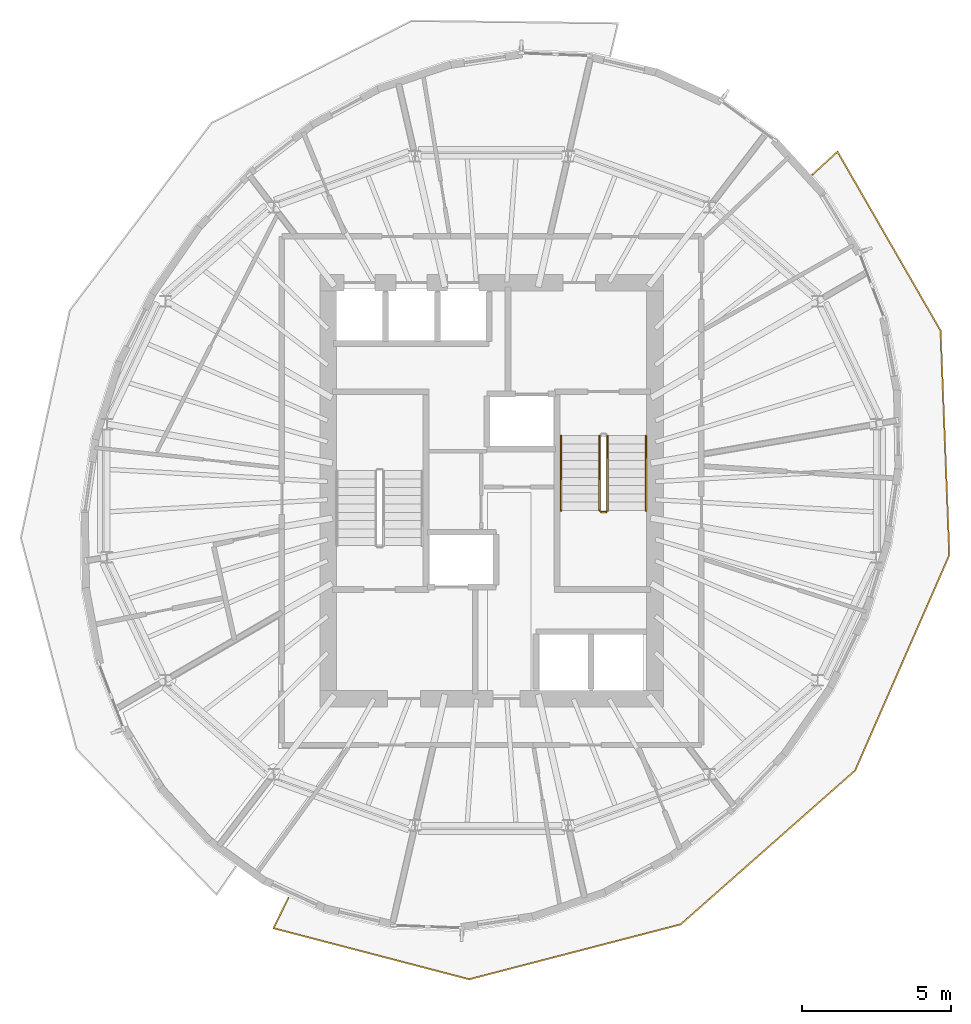
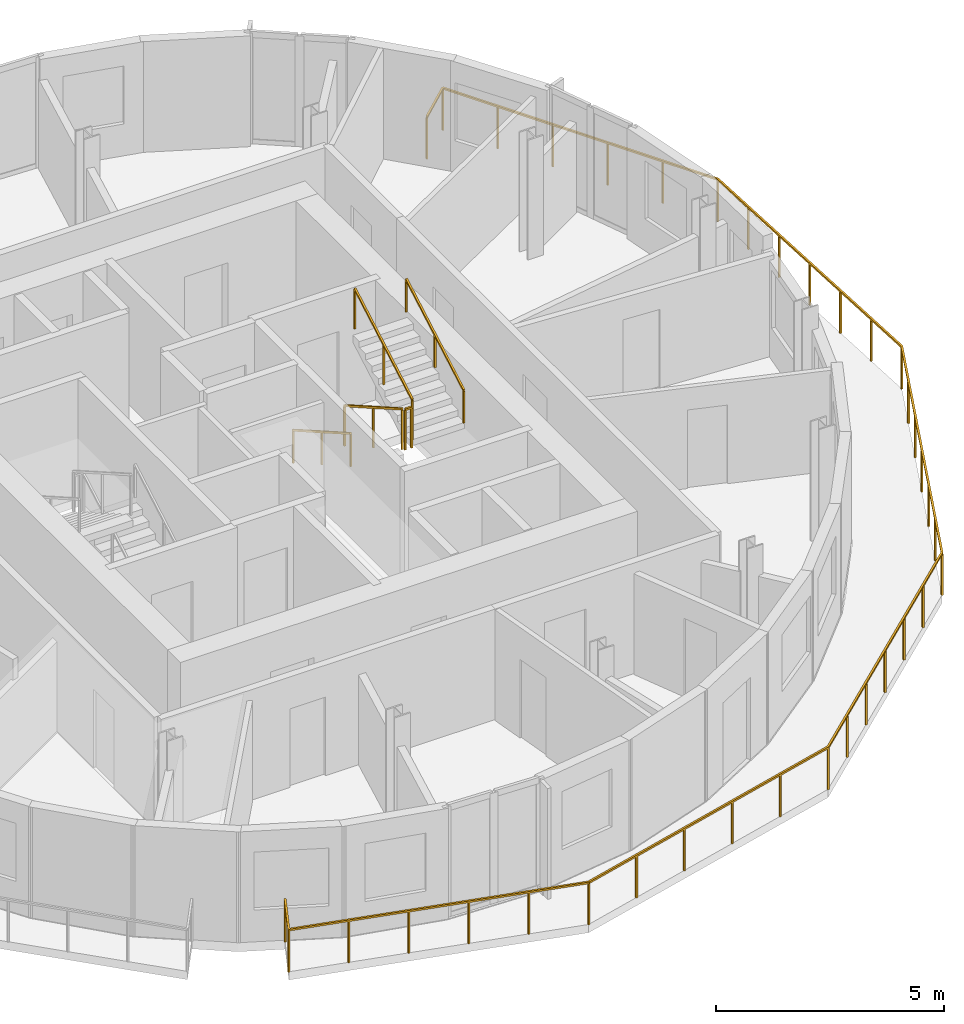
# One storey, part 9 of 11: 6 railings.
"""IFC4 building model written with IfcOpenShell, lengths in metres."""

from ifc_helpers import new_model, si_unit, direction, frame, origin, origin_2d, place, context, subcontext, project, spatial, rectangle, extrude, material, type_object, element, save


model = new_model("IFC4")

# Units and contexts
model_context = context("Model", 3, precision=1e-05, world=origin(), true_north=direction((0.0, 1.0)))
body_context = subcontext(model_context, "Body", "Model", "MODEL_VIEW")
ifc_project = project(units=[si_unit("LENGTHUNIT", "METRE"), si_unit("AREAUNIT", "SQUARE_METRE"), si_unit("VOLUMEUNIT", "CUBIC_METRE"), si_unit("PLANEANGLEUNIT", "RADIAN"), si_unit("MASSUNIT", "GRAM", prefix="KILO")], contexts=[model_context])

# Site, building, storey
site_placement = place(None, origin())
site = spatial("IfcSite", under=ifc_project, at=site_placement, CompositionType="ELEMENT")
building_placement = place(site_placement, origin())
building = spatial("IfcBuilding", under=site, at=building_placement, Name="Veldorim Arch Residences", CompositionType="ELEMENT")
storey_placement = place(building_placement, frame((0.0, 0.0, 236.639892578125)))
storey = spatial("IfcBuildingStorey", under=building, at=storey_placement, Name="L71", CompositionType="ELEMENT", Elevation=236.639892578125)

# Railings
ifc_material_1 = material(Name="Aluminium", Category="aluminium")
railing_type_1 = type_object("IfcRailingType", Name="Balcony & Terrace Laminated Glass Balustrade 1150", PredefinedType="BALUSTRADE", material=ifc_material_1)
railing_1_placement = place(storey_placement, frame((25.16162109375, 10.30322265625, 0.0)))
element("IfcRailing", 1, at=railing_1_placement, inside=storey, type_object=railing_type_1, Name="L71 crescent balcony safety balustrade B", PredefinedType="BALUSTRADE", context=body_context, shape_type="SweptSolid", body=[
    extrude(rectangle(XDim=0.048095703125, YDim=0.048095703125, at=origin_2d()), frame((0.0, 0.0, 1.1259765625), z_axis=(-0.437762639147, -0.899090580402, 0.0), x_axis=(0.899090580402, -0.437762639147, 0.0)), (0.0, 0.0, 1.0), 1.14990234375),
    extrude(rectangle(XDim=0.048095703125, YDim=0.048095703125, at=origin_2d()), frame((-0.50341796875, -1.033935546875, 1.1259765625), z_axis=(0.967615749283, -0.252427735676, 0.0), x_axis=(0.252427735676, 0.967615749283, 0.0)), (0.0, 0.0, 1.0), 6.808837890625),
    extrude(rectangle(XDim=0.048095703125, YDim=0.048095703125, at=origin_2d()), frame((6.0849609375, -2.752685546875, 1.1259765625), z_axis=(0.967951200478, 0.251138355282, 0.0), x_axis=(-0.251138355282, 0.967951200478, 0.0)), (0.0, 0.0, 1.0), 7.357177734375),
    extrude(rectangle(XDim=0.048095703125, YDim=0.048095703125, at=origin_2d()), frame((13.206298828125, -0.905029296875, 1.1259765625), z_axis=(0.749915181283, 0.661533990722, 0.0), x_axis=(-0.661533990722, 0.749915181283, 0.0)), (0.0, 0.0, 1.0), 7.831298828125),
    extrude(rectangle(XDim=0.048095703125, YDim=0.048095703125, at=origin_2d()), frame((19.0791015625, 4.275634765625, 1.1259765625), z_axis=(0.400561673742, 0.916269799529, 0.0), x_axis=(-0.916269799529, 0.400561673742, 0.0)), (0.0, 0.0, 1.0), 7.919189453125),
    extrude(rectangle(XDim=0.048095703125, YDim=0.048095703125, at=origin_2d()), frame((22.251220703125, 11.53173828125, 1.1259765625), z_axis=(-0.039131793302, 0.999234058043, 0.0), x_axis=(-0.999234058043, -0.039131793302, 0.0)), (0.0, 0.0, 1.0), 7.555419921875),
    extrude(rectangle(XDim=0.048095703125, YDim=0.048095703125, at=origin_2d()), frame((21.95556640625, 19.081298828125, 1.1259765625), z_axis=(-0.499136962645, 0.86652310559, 0.0), x_axis=(-0.86652310559, -0.499136962645, 0.0)), (0.0, 0.0, 1.0), 6.956298828125),
    extrude(rectangle(XDim=0.048095703125, YDim=0.048095703125, at=origin_2d()), frame((18.4833984375, 25.109130859375, 1.1259765625), z_axis=(-0.738131502992, -0.67465686411, 0.0), x_axis=(0.67465686411, -0.738131502992, 0.0)), (0.0, 0.0, 1.0), 1.150146484375),
    extrude(rectangle(XDim=0.0419921875, YDim=0.0419921875, at=origin_2d()), origin(), (0.0, 0.0, 1.0), 1.101806640625),
    extrude(rectangle(XDim=0.0419921875, YDim=0.0419921875, at=origin_2d()), frame((-0.50341796875, -1.033935546875, 0.0)), (0.0, 0.0, 1.0), 1.101806640625),
    extrude(rectangle(XDim=0.0419921875, YDim=0.0419921875, at=origin_2d()), frame((0.814208984375, -1.377685546875, 0.0)), (0.0, 0.0, 1.0), 1.101806640625),
    extrude(rectangle(XDim=0.0419921875, YDim=0.0419921875, at=origin_2d()), frame((2.1318359375, -1.721435546875, 0.0)), (0.0, 0.0, 1.0), 1.101806640625),
    extrude(rectangle(XDim=0.0419921875, YDim=0.0419921875, at=origin_2d()), frame((3.44970703125, -2.065185546875, 0.0)), (0.0, 0.0, 1.0), 1.101806640625),
    extrude(rectangle(XDim=0.0419921875, YDim=0.0419921875, at=origin_2d()), frame((4.767333984375, -2.408935546875, 0.0)), (0.0, 0.0, 1.0), 1.101806640625),
    extrude(rectangle(XDim=0.0419921875, YDim=0.0419921875, at=origin_2d()), frame((6.0849609375, -2.752685546875, 0.0)), (0.0, 0.0, 1.0), 1.101806640625),
    extrude(rectangle(XDim=0.0419921875, YDim=0.0419921875, at=origin_2d()), frame((7.50927734375, -2.383056640625, 0.0)), (0.0, 0.0, 1.0), 1.101806640625),
    extrude(rectangle(XDim=0.0419921875, YDim=0.0419921875, at=origin_2d()), frame((8.93359375, -2.013671875, 0.0)), (0.0, 0.0, 1.0), 1.101806640625),
    extrude(rectangle(XDim=0.0419921875, YDim=0.0419921875, at=origin_2d()), frame((10.357666015625, -1.64404296875, 0.0)), (0.0, 0.0, 1.0), 1.101806640625),
    extrude(rectangle(XDim=0.0419921875, YDim=0.0419921875, at=origin_2d()), frame((11.781982421875, -1.274658203125, 0.0)), (0.0, 0.0, 1.0), 1.101806640625),
    extrude(rectangle(XDim=0.0419921875, YDim=0.0419921875, at=origin_2d()), frame((13.206298828125, -0.905029296875, 0.0)), (0.0, 0.0, 1.0), 1.101806640625),
    extrude(rectangle(XDim=0.0419921875, YDim=0.0419921875, at=origin_2d()), frame((14.18505859375, -0.04150390625, 0.0)), (0.0, 0.0, 1.0), 1.101806640625),
    extrude(rectangle(XDim=0.0419921875, YDim=0.0419921875, at=origin_2d()), frame((15.163818359375, 0.82177734375, 0.0)), (0.0, 0.0, 1.0), 1.101806640625),
    extrude(rectangle(XDim=0.0419921875, YDim=0.0419921875, at=origin_2d()), frame((16.142578125, 1.685302734375, 0.0)), (0.0, 0.0, 1.0), 1.101806640625),
    extrude(rectangle(XDim=0.0419921875, YDim=0.0419921875, at=origin_2d()), frame((17.12158203125, 2.548828125, 0.0)), (0.0, 0.0, 1.0), 1.101806640625),
    extrude(rectangle(XDim=0.0419921875, YDim=0.0419921875, at=origin_2d()), frame((18.100341796875, 3.412109375, 0.0)), (0.0, 0.0, 1.0), 1.101806640625),
    extrude(rectangle(XDim=0.0419921875, YDim=0.0419921875, at=origin_2d()), frame((19.0791015625, 4.275634765625, 0.0)), (0.0, 0.0, 1.0), 1.101806640625),
    extrude(rectangle(XDim=0.0419921875, YDim=0.0419921875, at=origin_2d()), frame((19.60791015625, 5.48486328125, 0.0)), (0.0, 0.0, 1.0), 1.101806640625),
    extrude(rectangle(XDim=0.0419921875, YDim=0.0419921875, at=origin_2d()), frame((20.136474609375, 6.6943359375, 0.0)), (0.0, 0.0, 1.0), 1.101806640625),
    extrude(rectangle(XDim=0.0419921875, YDim=0.0419921875, at=origin_2d()), frame((20.6650390625, 7.90380859375, 0.0)), (0.0, 0.0, 1.0), 1.101806640625),
    extrude(rectangle(XDim=0.0419921875, YDim=0.0419921875, at=origin_2d()), frame((21.19384765625, 9.113037109375, 0.0)), (0.0, 0.0, 1.0), 1.101806640625),
    extrude(rectangle(XDim=0.0419921875, YDim=0.0419921875, at=origin_2d()), frame((21.72265625, 10.322265625, 0.0)), (0.0, 0.0, 1.0), 1.101806640625),
    extrude(rectangle(XDim=0.0419921875, YDim=0.0419921875, at=origin_2d()), frame((22.251220703125, 11.53173828125, 0.0)), (0.0, 0.0, 1.0), 1.101806640625),
    extrude(rectangle(XDim=0.0419921875, YDim=0.0419921875, at=origin_2d()), frame((22.201904296875, 12.7900390625, 0.0)), (0.0, 0.0, 1.0), 1.101806640625),
    extrude(rectangle(XDim=0.0419921875, YDim=0.0419921875, at=origin_2d()), frame((22.152587890625, 14.04833984375, 0.0)), (0.0, 0.0, 1.0), 1.101806640625),
    extrude(rectangle(XDim=0.0419921875, YDim=0.0419921875, at=origin_2d()), frame((22.103515625, 15.306640625, 0.0)), (0.0, 0.0, 1.0), 1.101806640625),
    extrude(rectangle(XDim=0.0419921875, YDim=0.0419921875, at=origin_2d()), frame((22.05419921875, 16.564697265625, 0.0)), (0.0, 0.0, 1.0), 1.101806640625),
    extrude(rectangle(XDim=0.0419921875, YDim=0.0419921875, at=origin_2d()), frame((22.0048828125, 17.822998046875, 0.0)), (0.0, 0.0, 1.0), 1.101806640625),
    extrude(rectangle(XDim=0.0419921875, YDim=0.0419921875, at=origin_2d()), frame((21.95556640625, 19.081298828125, 0.0)), (0.0, 0.0, 1.0), 1.101806640625),
    extrude(rectangle(XDim=0.0419921875, YDim=0.0419921875, at=origin_2d()), frame((21.26123046875, 20.286865234375, 0.0)), (0.0, 0.0, 1.0), 1.101806640625),
    extrude(rectangle(XDim=0.0419921875, YDim=0.0419921875, at=origin_2d()), frame((20.566650390625, 21.492431640625, 0.0)), (0.0, 0.0, 1.0), 1.101806640625),
    extrude(rectangle(XDim=0.0419921875, YDim=0.0419921875, at=origin_2d()), frame((19.872314453125, 22.697998046875, 0.0)), (0.0, 0.0, 1.0), 1.101806640625),
    extrude(rectangle(XDim=0.0419921875, YDim=0.0419921875, at=origin_2d()), frame((19.177734375, 23.903564453125, 0.0)), (0.0, 0.0, 1.0), 1.101806640625),
    extrude(rectangle(XDim=0.0419921875, YDim=0.0419921875, at=origin_2d()), frame((18.4833984375, 25.109130859375, 0.0)), (0.0, 0.0, 1.0), 1.101806640625),
    extrude(rectangle(XDim=0.0419921875, YDim=0.0419921875, at=origin_2d()), frame((17.634521484375, 24.333251953125, 0.0)), (0.0, 0.0, 1.0), 1.101806640625),
])
ifc_material_2 = material(Name="Steel S355", Category="steel")
railing_type_2 = type_object("IfcRailingType", Name="Galvanised Steel Stair Safety Guardrail 1100", PredefinedType="GUARDRAIL", material=ifc_material_2)
railing_2_placement = place(storey_placement, frame((35.639892578125, 25.85009765625, 0.16015625)))
element("IfcRailing", 2, at=railing_2_placement, inside=storey, type_object=railing_type_2, Name="L71 ST-2 stair guard 1", PredefinedType="GUARDRAIL", context=body_context, shape_type="SweptSolid", body=[
    extrude(rectangle(XDim=0.048095703125, YDim=0.048095703125, at=origin_2d()), frame((0.0, 0.0, 1.076171875), z_axis=(0.0, -0.868253494771, 0.496120820787), x_axis=(1.0, 0.0, 0.0)), (0.0, 0.0, 1.0), 2.90234375),
    extrude(rectangle(XDim=0.0419921875, YDim=0.0419921875, at=origin_2d()), origin(), (0.0, 0.0, 1.0), 1.052001953125),
    extrude(rectangle(XDim=0.0419921875, YDim=0.0419921875, at=origin_2d()), frame((0.0, -1.260009765625, 0.719970703125)), (0.0, 0.0, 1.0), 1.052001953125),
    extrude(rectangle(XDim=0.0419921875, YDim=0.0419921875, at=origin_2d()), frame((0.0, -2.52001953125, 1.43994140625)), (0.0, 0.0, 1.0), 1.052001953125),
])
railing_3_placement = place(storey_placement, frame((35.68994140625, 23.280029296875, 1.60009765625)))
element("IfcRailing", 3, at=railing_3_placement, inside=storey, type_object=railing_type_2, Name="L71 ST-2 stair guard 2", PredefinedType="GUARDRAIL", context=body_context, shape_type="SweptSolid", body=[
    extrude(rectangle(XDim=0.048095703125, YDim=0.048095703125, at=origin_2d()), frame((0.0, 0.0, 1.076171875), z_axis=(1.0, 0.0, 0.0), x_axis=(0.0, 1.0, 0.0)), (0.0, 0.0, 1.0), 0.16015625),
    extrude(rectangle(XDim=0.0419921875, YDim=0.0419921875, at=origin_2d()), origin(), (0.0, 0.0, 1.0), 1.052001953125),
    extrude(rectangle(XDim=0.0419921875, YDim=0.0419921875, at=origin_2d()), frame((0.16015625, 0.0, 0.0)), (0.0, 0.0, 1.0), 1.052001953125),
])
railing_4_placement = place(storey_placement, frame((35.89990234375, 23.330078125, 1.760009765625)))
element("IfcRailing", 4, at=railing_4_placement, inside=storey, type_object=railing_type_2, Name="L71 ST-2 stair guard 3", PredefinedType="GUARDRAIL", context=body_context, shape_type="SweptSolid", body=[
    extrude(rectangle(XDim=0.048095703125, YDim=0.048095703125, at=origin_2d()), frame((0.0, 0.0, 1.076171875), z_axis=(0.0, 0.868217259934, 0.496184229447), x_axis=(-1.0, 0.0, 0.0)), (0.0, 0.0, 1.0), 2.902587890625),
    extrude(rectangle(XDim=0.0419921875, YDim=0.0419921875, at=origin_2d()), origin(), (0.0, 0.0, 1.0), 1.052001953125),
    extrude(rectangle(XDim=0.0419921875, YDim=0.0419921875, at=origin_2d()), frame((0.0, 1.260009765625, 0.72021484375)), (0.0, 0.0, 1.0), 1.052001953125),
    extrude(rectangle(XDim=0.0419921875, YDim=0.0419921875, at=origin_2d()), frame((0.0, 2.52001953125, 1.440185546875)), (0.0, 0.0, 1.0), 1.052001953125),
])
ifc_material_3 = material(Name="Stainless Steel", Category="steel")
railing_type_3 = type_object("IfcRailingType", Name="Tubular Steel Continuous Wall Handrail 900", PredefinedType="HANDRAIL", material=ifc_material_3)
railing_5_placement = place(storey_placement, frame((34.340087890625, 25.85009765625, 0.16015625)))
element("IfcRailing", 5, at=railing_5_placement, inside=storey, type_object=railing_type_3, Name="L71 ST-2 stair handrail 1", PredefinedType="HANDRAIL", context=body_context, shape_type="SweptSolid", body=[
    extrude(rectangle(XDim=0.048095703125, YDim=0.048095703125, at=origin_2d()), frame((0.0, 0.0, 0.8759765625), z_axis=(0.0, -0.868253494771, 0.496120820787), x_axis=(1.0, 0.0, 0.0)), (0.0, 0.0, 1.0), 2.90234375),
    extrude(rectangle(XDim=0.0419921875, YDim=0.0419921875, at=origin_2d()), origin(), (0.0, 0.0, 1.0), 0.851806640625),
    extrude(rectangle(XDim=0.0419921875, YDim=0.0419921875, at=origin_2d()), frame((0.0, -1.260009765625, 0.719970703125)), (0.0, 0.0, 1.0), 0.851806640625),
    extrude(rectangle(XDim=0.0419921875, YDim=0.0419921875, at=origin_2d()), frame((0.0, -2.52001953125, 1.43994140625)), (0.0, 0.0, 1.0), 0.851806640625),
])
railing_6_placement = place(storey_placement, frame((37.199951171875, 23.330078125, 1.760009765625)))
element("IfcRailing", 6, at=railing_6_placement, inside=storey, type_object=railing_type_3, Name="L71 ST-2 stair handrail 2", PredefinedType="HANDRAIL", context=body_context, shape_type="SweptSolid", body=[
    extrude(rectangle(XDim=0.048095703125, YDim=0.048095703125, at=origin_2d()), frame((0.0, 0.0, 0.8759765625), z_axis=(0.0, 0.868217259934, 0.496184229447), x_axis=(-1.0, 0.0, 0.0)), (0.0, 0.0, 1.0), 2.902587890625),
    extrude(rectangle(XDim=0.0419921875, YDim=0.0419921875, at=origin_2d()), origin(), (0.0, 0.0, 1.0), 0.851806640625),
    extrude(rectangle(XDim=0.0419921875, YDim=0.0419921875, at=origin_2d()), frame((0.0, 1.260009765625, 0.72021484375)), (0.0, 0.0, 1.0), 0.851806640625),
    extrude(rectangle(XDim=0.0419921875, YDim=0.0419921875, at=origin_2d()), frame((0.0, 2.52001953125, 1.440185546875)), (0.0, 0.0, 1.0), 0.851806640625),
])

save(model, "model.ifc")
